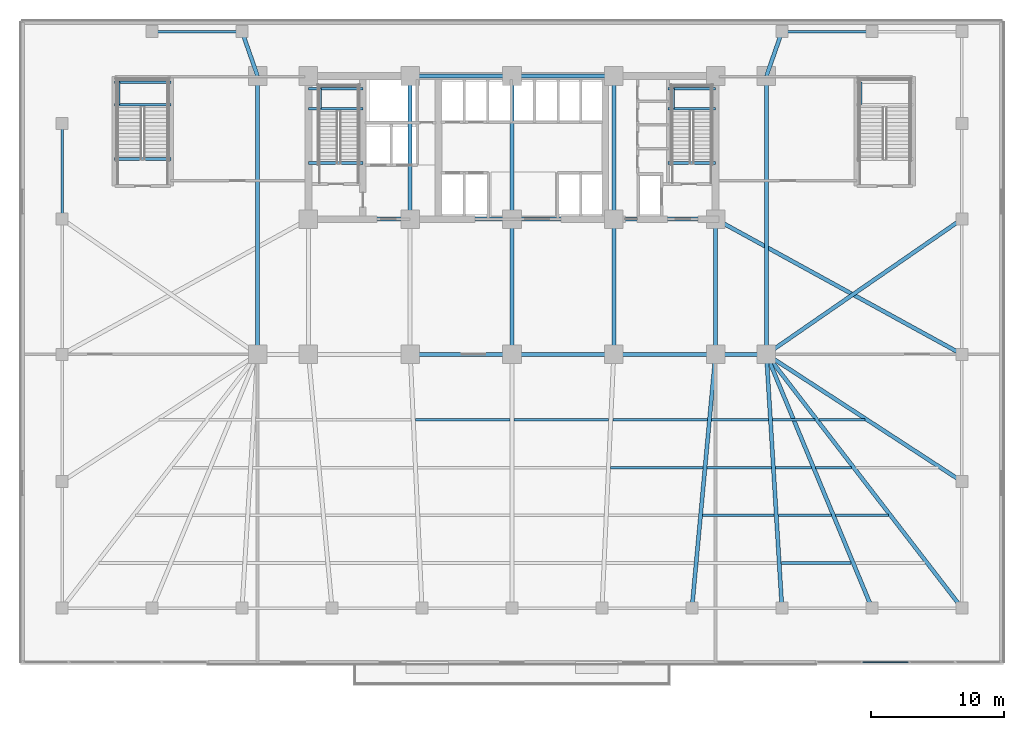
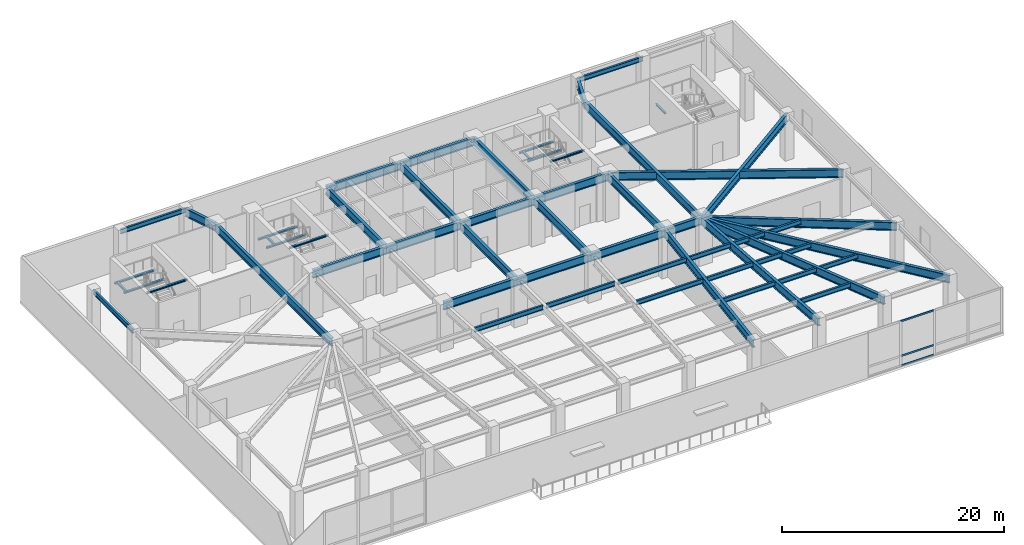
# One storey, part 5 of 15: 57 beams, 3 members, 1 element without a shape of its own.
"""IFC4 building model written with IfcOpenShell, lengths in metres."""

from ifc_helpers import new_model, si_unit, direction, frame, origin, origin_2d, place, context, subcontext, project, spatial, hollow_rectangle, i_section, extrude, material, material_profile, profile_set, type_object, element, aggregate, save


model = new_model("IFC4")

# Units and contexts
model_context = context("Model", 3, precision=1e-05, world=origin(), true_north=direction((0.0, 1.0)))
body_context = subcontext(model_context, "Body", "Model", "MODEL_VIEW")
ifc_project = project(units=[si_unit("LENGTHUNIT", "METRE"), si_unit("AREAUNIT", "SQUARE_METRE"), si_unit("VOLUMEUNIT", "CUBIC_METRE"), si_unit("PLANEANGLEUNIT", "RADIAN"), si_unit("MASSUNIT", "GRAM", prefix="KILO")], contexts=[model_context])

# Site, building, storey
site_placement = place(None, origin())
site = spatial("IfcSite", under=ifc_project, at=site_placement, CompositionType="ELEMENT")
building_placement = place(site_placement, origin())
building = spatial("IfcBuilding", under=site, at=building_placement, Name="Yelkora Congress Tower", CompositionType="ELEMENT")
storey_placement = place(building_placement, frame((0.0, 0.0, 10.39990234375)))
storey = spatial("IfcBuildingStorey", under=building, at=storey_placement, Name="L02", CompositionType="ELEMENT", Elevation=10.39990234375)

# Beams
ifc_material_1 = material(Name="Steel S460M", Category="steel")
ifc_material_profile_1 = material_profile(ifc_material_1, i_section(OverallWidth=0.300048828125, OverallDepth=0.89990234375, WebThickness=0.0185546875, FlangeThickness=0.034912109375, FilletRadius=0.030029296875, at=origin_2d()), Name="HEB 900")
ifc_profile_set_1 = profile_set([ifc_material_profile_1], Name="Steel S460M")
beam_type_1 = type_object("IfcBeamType", Name="BM-HALL-HEB900", PredefinedType="BEAM", material=ifc_profile_set_1)
beam_1_placement = place(storey_placement, frame((30.719970703125, 25.199951171875, 4.489990234375), z_axis=(1.0, 0.0, 0.0), x_axis=(0.0, 1.0, 0.0)))
element("IfcBeam", 1, at=beam_1_placement, inside=storey, type_object=beam_type_1, Name="L02 Spine Grid D Girder 3", PredefinedType="BEAM", context=body_context, shape_type="SweptSolid", body=[
    extrude(i_section(OverallWidth=0.300048828125, OverallDepth=0.89990234375, WebThickness=0.0185546875, FlangeThickness=0.034912109375, FilletRadius=0.030029296875, at=origin_2d()), origin(), (0.0, 0.0, 1.0), 7.679931640625),
])
beam_2_placement = place(storey_placement, frame((38.39990234375, 25.199951171875, 4.489990234375), z_axis=(1.0, 0.0, 0.0), x_axis=(0.0, 1.0, 0.0)))
element("IfcBeam", 2, at=beam_2_placement, inside=storey, type_object=beam_type_1, Name="L02 Spine Grid D Girder 4", PredefinedType="BEAM", context=body_context, shape_type="SweptSolid", body=[
    extrude(i_section(OverallWidth=0.300048828125, OverallDepth=0.89990234375, WebThickness=0.0185546875, FlangeThickness=0.034912109375, FilletRadius=0.030029296875, at=origin_2d()), origin(), (0.0, 0.0, 1.0), 7.68017578125),
])
beam_3_placement = place(storey_placement, frame((46.080078125, 25.199951171875, 4.489990234375), z_axis=(1.0, 0.0, 0.0), x_axis=(0.0, 1.0, 0.0)))
element("IfcBeam", 3, at=beam_3_placement, inside=storey, type_object=beam_type_1, Name="L02 Spine Grid D Girder 5", PredefinedType="BEAM", context=body_context, shape_type="SweptSolid", body=[
    extrude(i_section(OverallWidth=0.300048828125, OverallDepth=0.89990234375, WebThickness=0.0185546875, FlangeThickness=0.034912109375, FilletRadius=0.030029296875, at=origin_2d()), origin(), (0.0, 0.0, 1.0), 7.679931640625),
])
beam_4_placement = place(storey_placement, frame((53.760009765625, 25.199951171875, 4.489990234375), z_axis=(1.0, 0.0, 0.0), x_axis=(0.0, 1.0, 0.0)))
element("IfcBeam", 4, at=beam_4_placement, inside=storey, type_object=beam_type_1, Name="L02 Spine Grid D Girder 6", PredefinedType="BEAM", context=body_context, shape_type="SweptSolid", body=[
    extrude(i_section(OverallWidth=0.300048828125, OverallDepth=0.89990234375, WebThickness=0.0185546875, FlangeThickness=0.034912109375, FilletRadius=0.030029296875, at=origin_2d()), origin(), (0.0, 0.0, 1.0), 3.840087890625),
])
beam_5_placement = place(storey_placement, frame((30.719970703125, 46.199951171875, 4.489990234375), z_axis=(1.0, 0.0, 0.0), x_axis=(0.0, 1.0, 0.0)))
element("IfcBeam", 5, at=beam_5_placement, inside=storey, type_object=beam_type_1, Name="L02 Core North Girder 3", PredefinedType="BEAM", context=body_context, shape_type="SweptSolid", body=[
    extrude(i_section(OverallWidth=0.300048828125, OverallDepth=0.89990234375, WebThickness=0.0185546875, FlangeThickness=0.034912109375, FilletRadius=0.030029296875, at=origin_2d()), origin(), (0.0, 0.0, 1.0), 7.679931640625),
])
beam_6_placement = place(storey_placement, frame((38.39990234375, 46.199951171875, 4.489990234375), z_axis=(1.0, 0.0, 0.0), x_axis=(0.0, 1.0, 0.0)))
element("IfcBeam", 6, at=beam_6_placement, inside=storey, type_object=beam_type_1, Name="L02 Core North Girder 4", PredefinedType="BEAM", context=body_context, shape_type="SweptSolid", body=[
    extrude(i_section(OverallWidth=0.300048828125, OverallDepth=0.89990234375, WebThickness=0.0185546875, FlangeThickness=0.034912109375, FilletRadius=0.030029296875, at=origin_2d()), origin(), (0.0, 0.0, 1.0), 7.68017578125),
])
for number, where, z_axis, x_axis, name in (
    (7, (23.0400390625, 35.39990234375, 4.489990234375), (1.0, 0.0, 0.0), (0.0, 1.0, 0.0), "L02 Core South Girder 1"),
    (8, (30.719970703125, 35.39990234375, 4.489990234375), (1.0, 0.0, 0.0), (0.0, 1.0, 0.0), "L02 Core South Girder 2"),
):
    element("IfcBeam", number, at=place(storey_placement, frame(where, z_axis=z_axis, x_axis=x_axis)), inside=storey, type_object=beam_type_1, Name=name, PredefinedType="BEAM", context=body_context, shape_type="SweptSolid", body=[
        extrude(i_section(OverallWidth=0.300048828125, OverallDepth=0.89990234375, WebThickness=0.0185546875, FlangeThickness=0.034912109375, FilletRadius=0.030029296875, at=origin_2d()), origin(), (0.0, 0.0, 1.0), 7.679931640625),
    ])
beam_7_placement = place(storey_placement, frame((38.39990234375, 35.39990234375, 4.489990234375), z_axis=(1.0, 0.0, 0.0), x_axis=(0.0, 1.0, 0.0)))
element("IfcBeam", 9, at=beam_7_placement, inside=storey, type_object=beam_type_1, Name="L02 Core South Girder 3", PredefinedType="BEAM", context=body_context, shape_type="SweptSolid", body=[
    extrude(i_section(OverallWidth=0.300048828125, OverallDepth=0.89990234375, WebThickness=0.0185546875, FlangeThickness=0.034912109375, FilletRadius=0.030029296875, at=origin_2d()), origin(), (0.0, 0.0, 1.0), 7.68017578125),
])
beam_8_placement = place(storey_placement, frame((46.080078125, 35.39990234375, 4.489990234375), z_axis=(1.0, 0.0, 0.0), x_axis=(0.0, 1.0, 0.0)))
element("IfcBeam", 10, at=beam_8_placement, inside=storey, type_object=beam_type_1, Name="L02 Core South Girder 4", PredefinedType="BEAM", context=body_context, shape_type="SweptSolid", body=[
    extrude(i_section(OverallWidth=0.300048828125, OverallDepth=0.89990234375, WebThickness=0.0185546875, FlangeThickness=0.034912109375, FilletRadius=0.030029296875, at=origin_2d()), origin(), (0.0, 0.0, 1.0), 7.679931640625),
])
beam_9_placement = place(storey_placement, frame((30.719970703125, 35.39990234375, 4.489990234375), z_axis=(0.0, 1.0, 0.0), x_axis=(-1.0, 0.0, 0.0)))
element("IfcBeam", 11, at=beam_9_placement, inside=storey, type_object=beam_type_1, Name="L02 Core Tie Girder MC-S2", PredefinedType="BEAM", context=body_context, shape_type="SweptSolid", body=[
    extrude(i_section(OverallWidth=0.300048828125, OverallDepth=0.89990234375, WebThickness=0.0185546875, FlangeThickness=0.034912109375, FilletRadius=0.030029296875, at=origin_2d()), origin(), (0.0, 0.0, 1.0), 10.800048828125),
])
beam_10_placement = place(storey_placement, frame((38.39990234375, 25.199951171875, 4.489990234375), z_axis=(0.0, 1.0, 0.0), x_axis=(-1.0, 0.0, 0.0)))
element("IfcBeam", 12, at=beam_10_placement, inside=storey, type_object=beam_type_1, Name="L02 Core Tie Girder MC-D3", PredefinedType="BEAM", context=body_context, shape_type="SweptSolid", body=[
    extrude(i_section(OverallWidth=0.300048828125, OverallDepth=0.89990234375, WebThickness=0.0185546875, FlangeThickness=0.034912109375, FilletRadius=0.030029296875, at=origin_2d()), origin(), (0.0, 0.0, 1.0), 10.199951171875),
])
beam_11_placement = place(storey_placement, frame((38.39990234375, 35.39990234375, 4.489990234375), z_axis=(0.0, 1.0, 0.0), x_axis=(-1.0, 0.0, 0.0)))
element("IfcBeam", 13, at=beam_11_placement, inside=storey, type_object=beam_type_1, Name="L02 Core Tie Girder MC-S3", PredefinedType="BEAM", context=body_context, shape_type="SweptSolid", body=[
    extrude(i_section(OverallWidth=0.300048828125, OverallDepth=0.89990234375, WebThickness=0.0185546875, FlangeThickness=0.034912109375, FilletRadius=0.030029296875, at=origin_2d()), origin(), (0.0, 0.0, 1.0), 10.800048828125),
])
beam_12_placement = place(storey_placement, frame((46.080078125, 25.199951171875, 4.489990234375), z_axis=(0.0, 1.0, 0.0), x_axis=(-1.0, 0.0, 0.0)))
element("IfcBeam", 14, at=beam_12_placement, inside=storey, type_object=beam_type_1, Name="L02 Core Tie Girder MC-D4", PredefinedType="BEAM", context=body_context, shape_type="SweptSolid", body=[
    extrude(i_section(OverallWidth=0.300048828125, OverallDepth=0.89990234375, WebThickness=0.0185546875, FlangeThickness=0.034912109375, FilletRadius=0.030029296875, at=origin_2d()), origin(), (0.0, 0.0, 1.0), 10.199951171875),
])
beam_13_placement = place(storey_placement, frame((46.080078125, 35.39990234375, 4.489990234375), z_axis=(0.0, 1.0, 0.0), x_axis=(-1.0, 0.0, 0.0)))
element("IfcBeam", 15, at=beam_13_placement, inside=storey, type_object=beam_type_1, Name="L02 Core Tie Girder MC-S4", PredefinedType="BEAM", context=body_context, shape_type="SweptSolid", body=[
    extrude(i_section(OverallWidth=0.300048828125, OverallDepth=0.89990234375, WebThickness=0.0185546875, FlangeThickness=0.034912109375, FilletRadius=0.030029296875, at=origin_2d()), origin(), (0.0, 0.0, 1.0), 10.800048828125),
])
beam_14_placement = place(storey_placement, frame((53.760009765625, 25.199951171875, 4.489990234375), z_axis=(0.0, 1.0, 0.0), x_axis=(-1.0, 0.0, 0.0)))
element("IfcBeam", 16, at=beam_14_placement, inside=storey, type_object=beam_type_1, Name="L02 Core Tie Girder MC-D5", PredefinedType="BEAM", context=body_context, shape_type="SweptSolid", body=[
    extrude(i_section(OverallWidth=0.300048828125, OverallDepth=0.89990234375, WebThickness=0.0185546875, FlangeThickness=0.034912109375, FilletRadius=0.030029296875, at=origin_2d()), origin(), (0.0, 0.0, 1.0), 10.199951171875),
])
for number, where, z_axis, x_axis, name in (
    (17, (19.199951171875, 25.199951171875, 4.489990234375), (0.0, 1.0, 0.0), (-1.0, 0.0, 0.0), "L02 Neck Flank Girder MC-F1"),
    (18, (57.60009765625, 25.199951171875, 4.489990234375), (0.0, 1.0, 0.0), (-1.0, 0.0, 0.0), "L02 Neck Flank Girder MC-F2"),
):
    element("IfcBeam", number, at=place(storey_placement, frame(where, z_axis=z_axis, x_axis=x_axis)), inside=storey, type_object=beam_type_1, Name=name, PredefinedType="BEAM", context=body_context, shape_type="SweptSolid", body=[
        extrude(i_section(OverallWidth=0.300048828125, OverallDepth=0.89990234375, WebThickness=0.0185546875, FlangeThickness=0.034912109375, FilletRadius=0.030029296875, at=origin_2d()), origin(), (0.0, 0.0, 1.0), 21.0),
    ])
beam_15_placement = place(storey_placement, frame((18.030029296875, 49.550048828125, 4.489990234375), z_axis=(0.329694513381, -0.944087669577, 0.0), x_axis=(0.944087669577, 0.329694513381, 0.0)))
element("IfcBeam", 19, at=beam_15_placement, inside=storey, type_object=beam_type_1, Name="L02 Primary Frame Girder PN03", PredefinedType="BEAM", context=body_context, shape_type="SweptSolid", body=[
    extrude(i_section(OverallWidth=0.300048828125, OverallDepth=0.89990234375, WebThickness=0.0185546875, FlangeThickness=0.034912109375, FilletRadius=0.030029296875, at=origin_2d()), origin(), (0.0, 0.0, 1.0), 3.548583984375),
])
beam_16_placement = place(storey_placement, frame((51.97998046875, 6.050048828125, 4.489990234375), z_axis=(0.092553417869, 0.995707720589, 0.0), x_axis=(-0.995707720589, 0.092553417869, 0.0)))
element("IfcBeam", 20, at=beam_16_placement, inside=storey, type_object=beam_type_1, Name="L02 Primary Frame Girder PS08", PredefinedType="BEAM", context=body_context, shape_type="SweptSolid", body=[
    extrude(i_section(OverallWidth=0.300048828125, OverallDepth=0.89990234375, WebThickness=0.0185546875, FlangeThickness=0.034912109375, FilletRadius=0.030029296875, at=origin_2d()), origin(), (0.0, 0.0, 1.0), 19.232421875),
])
beam_17_placement = place(storey_placement, frame((58.77001953125, 6.050048828125, 4.489990234375), z_axis=(-0.060979146345, 0.99813904027, 0.0), x_axis=(-0.99813904027, -0.060979146345, 0.0)))
element("IfcBeam", 21, at=beam_17_placement, inside=storey, type_object=beam_type_1, Name="L02 Primary Frame Girder PS09", PredefinedType="BEAM", context=body_context, shape_type="SweptSolid", body=[
    extrude(i_section(OverallWidth=0.300048828125, OverallDepth=0.89990234375, WebThickness=0.0185546875, FlangeThickness=0.034912109375, FilletRadius=0.030029296875, at=origin_2d()), origin(), (0.0, 0.0, 1.0), 19.185546875),
])
beam_18_placement = place(storey_placement, frame((58.77001953125, 49.550048828125, 4.489990234375), z_axis=(-0.329694513381, -0.944087669577, 0.0), x_axis=(0.944087669577, -0.329694513381, 0.0)))
element("IfcBeam", 22, at=beam_18_placement, inside=storey, type_object=beam_type_1, Name="L02 Primary Frame Girder PN09", PredefinedType="BEAM", context=body_context, shape_type="SweptSolid", body=[
    extrude(i_section(OverallWidth=0.300048828125, OverallDepth=0.89990234375, WebThickness=0.0185546875, FlangeThickness=0.034912109375, FilletRadius=0.030029296875, at=origin_2d()), origin(), (0.0, 0.0, 1.0), 3.548583984375),
])
beam_19_placement = place(storey_placement, frame((65.56005859375, 6.050048828125, 4.489990234375), z_axis=(-0.383827816401, 0.923404682334, 0.0), x_axis=(-0.923404682334, -0.383827816401, 0.0)))
element("IfcBeam", 23, at=beam_19_placement, inside=storey, type_object=beam_type_1, Name="L02 Primary Frame Girder PS10", PredefinedType="BEAM", context=body_context, shape_type="SweptSolid", body=[
    extrude(i_section(OverallWidth=0.300048828125, OverallDepth=0.89990234375, WebThickness=0.0185546875, FlangeThickness=0.034912109375, FilletRadius=0.030029296875, at=origin_2d()), origin(), (0.0, 0.0, 1.0), 20.73828125),
])
beam_20_placement = place(storey_placement, frame((72.35009765625, 6.050048828125, 4.489990234375), z_axis=(-0.610212418574, 0.792237845737, 0.0), x_axis=(-0.792237845737, -0.610212418574, 0.0)))
element("IfcBeam", 24, at=beam_20_placement, inside=storey, type_object=beam_type_1, Name="L02 Primary Frame Girder PS11", PredefinedType="BEAM", context=body_context, shape_type="SweptSolid", body=[
    extrude(i_section(OverallWidth=0.300048828125, OverallDepth=0.89990234375, WebThickness=0.0185546875, FlangeThickness=0.034912109375, FilletRadius=0.030029296875, at=origin_2d()), origin(), (0.0, 0.0, 1.0), 24.171875),
])
beam_21_placement = place(storey_placement, frame((72.35009765625, 15.60009765625, 4.489990234375), z_axis=(-0.83812272066, 0.545481718404, 0.0), x_axis=(-0.545481718404, -0.83812272066, 0.0)))
element("IfcBeam", 25, at=beam_21_placement, inside=storey, type_object=beam_type_1, Name="L02 Primary Frame Girder PE1", PredefinedType="BEAM", context=body_context, shape_type="SweptSolid", body=[
    extrude(i_section(OverallWidth=0.300048828125, OverallDepth=0.89990234375, WebThickness=0.0185546875, FlangeThickness=0.034912109375, FilletRadius=0.030029296875, at=origin_2d()), origin(), (0.0, 0.0, 1.0), 17.598876953125),
])
beam_22_placement = place(storey_placement, frame((72.35009765625, 25.199951171875, 4.489990234375), z_axis=(-0.876705282536, 0.48102790727, 0.0), x_axis=(-0.48102790727, -0.876705282536, 0.0)))
element("IfcBeam", 26, at=beam_22_placement, inside=storey, type_object=beam_type_1, Name="L02 Primary Frame Girder PE2", PredefinedType="BEAM", context=body_context, shape_type="SweptSolid", body=[
    extrude(i_section(OverallWidth=0.300048828125, OverallDepth=0.89990234375, WebThickness=0.0185546875, FlangeThickness=0.034912109375, FilletRadius=0.030029296875, at=origin_2d()), origin(), (0.0, 0.0, 1.0), 21.20458984375),
])
beam_23_placement = place(storey_placement, frame((72.35009765625, 35.39990234375, 4.489990234375), z_axis=(-0.822494466498, -0.568773111689, 0.0), x_axis=(0.568773111689, -0.822494466498, 0.0)))
element("IfcBeam", 27, at=beam_23_placement, inside=storey, type_object=beam_type_1, Name="L02 Primary Frame Girder PE3", PredefinedType="BEAM", context=body_context, shape_type="SweptSolid", body=[
    extrude(i_section(OverallWidth=0.300048828125, OverallDepth=0.89990234375, WebThickness=0.0185546875, FlangeThickness=0.034912109375, FilletRadius=0.030029296875, at=origin_2d()), origin(), (0.0, 0.0, 1.0), 17.933349609375),
])
ifc_material_2 = material(Name="Steel S355J2", Category="steel")
ifc_material_profile_2 = material_profile(ifc_material_2, i_section(OverallWidth=0.199951171875, OverallDepth=0.5, WebThickness=0.01025390625, FlangeThickness=0.01611328125, FilletRadius=0.02099609375, at=origin_2d()), Name="IPE 500")
ifc_profile_set_2 = profile_set([ifc_material_profile_2], Name="Steel S355J2")
beam_type_2 = type_object("IfcBeamType", Name="BM-JOIST-IPE500", PredefinedType="JOIST", material=ifc_profile_set_2)
beam_24_placement = place(storey_placement, frame((58.722412109375, 9.449951171875, 4.690185546875), z_axis=(1.0, 0.0, 0.0), x_axis=(0.0, 1.0, 0.0)))
element("IfcBeam", 28, at=beam_24_placement, inside=storey, type_object=beam_type_2, Name="L02 Composite Floor Joist 9", PredefinedType="JOIST", context=body_context, shape_type="SweptSolid", body=[
    extrude(i_section(OverallWidth=0.199951171875, OverallDepth=0.5, WebThickness=0.01025390625, FlangeThickness=0.01611328125, FilletRadius=0.02099609375, at=origin_2d()), origin(), (0.0, 0.0, 1.0), 5.264404296875),
])
beam_25_placement = place(storey_placement, frame((52.790771484375, 13.050048828125, 4.690185546875), z_axis=(1.0, 0.0, 0.0), x_axis=(0.0, 1.0, 0.0)))
element("IfcBeam", 29, at=beam_25_placement, inside=storey, type_object=beam_type_2, Name="L02 Composite Floor Joist 18", PredefinedType="JOIST", context=body_context, shape_type="SweptSolid", body=[
    extrude(i_section(OverallWidth=0.199951171875, OverallDepth=0.5, WebThickness=0.01025390625, FlangeThickness=0.01611328125, FilletRadius=0.02099609375, at=origin_2d()), origin(), (0.0, 0.0, 1.0), 5.3916015625),
])
for number, where, z_axis, x_axis, name in (
    (30, (58.502197265625, 13.050048828125, 4.690185546875), (1.0, 0.0, 0.0), (0.0, 1.0, 0.0), "L02 Composite Floor Joist 19"),
    (31, (62.810302734375, 13.050048828125, 4.690185546875), (1.0, 0.0, 0.0), (0.0, 1.0, 0.0), "L02 Composite Floor Joist 20"),
):
    element("IfcBeam", number, at=place(storey_placement, frame(where, z_axis=z_axis, x_axis=x_axis)), inside=storey, type_object=beam_type_2, Name=name, PredefinedType="JOIST", context=body_context, shape_type="SweptSolid", body=[
        extrude(i_section(OverallWidth=0.199951171875, OverallDepth=0.5, WebThickness=0.01025390625, FlangeThickness=0.01611328125, FilletRadius=0.02099609375, at=origin_2d()), origin(), (0.0, 0.0, 1.0), 3.988037109375),
    ])
beam_26_placement = place(storey_placement, frame((45.842529296875, 16.64990234375, 4.690185546875), z_axis=(1.0, 0.0, 0.0), x_axis=(0.0, 1.0, 0.0)))
element("IfcBeam", 32, at=beam_26_placement, inside=storey, type_object=beam_type_2, Name="L02 Composite Floor Joist 27", PredefinedType="JOIST", context=body_context, shape_type="SweptSolid", body=[
    extrude(i_section(OverallWidth=0.199951171875, OverallDepth=0.5, WebThickness=0.01025390625, FlangeThickness=0.01611328125, FilletRadius=0.02099609375, at=origin_2d()), origin(), (0.0, 0.0, 1.0), 6.962890625),
])
beam_27_placement = place(storey_placement, frame((53.125244140625, 16.64990234375, 4.690185546875), z_axis=(1.0, 0.0, 0.0), x_axis=(0.0, 1.0, 0.0)))
element("IfcBeam", 33, at=beam_27_placement, inside=storey, type_object=beam_type_2, Name="L02 Composite Floor Joist 28", PredefinedType="JOIST", context=body_context, shape_type="SweptSolid", body=[
    extrude(i_section(OverallWidth=0.199951171875, OverallDepth=0.5, WebThickness=0.01025390625, FlangeThickness=0.01611328125, FilletRadius=0.02099609375, at=origin_2d()), origin(), (0.0, 0.0, 1.0), 4.837158203125),
])
for number, where, z_axis, x_axis, name in (
    (34, (58.282470703125, 16.64990234375, 4.690185546875), (1.0, 0.0, 0.0), (0.0, 1.0, 0.0), "L02 Composite Floor Joist 29"),
    (35, (61.31396484375, 16.64990234375, 4.690185546875), (1.0, 0.0, 0.0), (0.0, 1.0, 0.0), "L02 Composite Floor Joist 30"),
):
    element("IfcBeam", number, at=place(storey_placement, frame(where, z_axis=z_axis, x_axis=x_axis)), inside=storey, type_object=beam_type_2, Name=name, PredefinedType="JOIST", context=body_context, shape_type="SweptSolid", body=[
        extrude(i_section(OverallWidth=0.199951171875, OverallDepth=0.5, WebThickness=0.01025390625, FlangeThickness=0.01611328125, FilletRadius=0.02099609375, at=origin_2d()), origin(), (0.0, 0.0, 1.0), 2.71142578125),
    ])
for number, where, z_axis, x_axis, name in (
    (36, (31.110107421875, 20.25, 4.690185546875), (1.0, 0.0, 0.0), (0.0, 1.0, 0.0), "L02 Composite Floor Joist 36"),
    (37, (38.56005859375, 20.25, 4.690185546875), (1.0, 0.0, 0.0), (0.0, 1.0, 0.0), "L02 Composite Floor Joist 37"),
    (38, (46.010009765625, 20.25, 4.690185546875), (1.0, 0.0, 0.0), (0.0, 1.0, 0.0), "L02 Composite Floor Joist 38"),
):
    element("IfcBeam", number, at=place(storey_placement, frame(where, z_axis=z_axis, x_axis=x_axis)), inside=storey, type_object=beam_type_2, Name=name, PredefinedType="JOIST", context=body_context, shape_type="SweptSolid", body=[
        extrude(i_section(OverallWidth=0.199951171875, OverallDepth=0.5, WebThickness=0.01025390625, FlangeThickness=0.01611328125, FilletRadius=0.02099609375, at=origin_2d()), origin(), (0.0, 0.0, 1.0), 7.1298828125),
    ])
beam_28_placement = place(storey_placement, frame((53.4599609375, 20.25, 4.690185546875), z_axis=(1.0, 0.0, 0.0), x_axis=(0.0, 1.0, 0.0)))
element("IfcBeam", 39, at=beam_28_placement, inside=storey, type_object=beam_type_2, Name="L02 Composite Floor Joist 39", PredefinedType="JOIST", context=body_context, shape_type="SweptSolid", body=[
    extrude(i_section(OverallWidth=0.199951171875, OverallDepth=0.5, WebThickness=0.01025390625, FlangeThickness=0.01611328125, FilletRadius=0.02099609375, at=origin_2d()), origin(), (0.0, 0.0, 1.0), 4.282470703125),
])
beam_29_placement = place(storey_placement, frame((58.0625, 20.25, 4.690185546875), z_axis=(1.0, 0.0, 0.0), x_axis=(0.0, 1.0, 0.0)))
element("IfcBeam", 40, at=beam_29_placement, inside=storey, type_object=beam_type_2, Name="L02 Composite Floor Joist 40", PredefinedType="JOIST", context=body_context, shape_type="SweptSolid", body=[
    extrude(i_section(OverallWidth=0.199951171875, OverallDepth=0.5, WebThickness=0.01025390625, FlangeThickness=0.01611328125, FilletRadius=0.02099609375, at=origin_2d()), origin(), (0.0, 0.0, 1.0), 3.190185546875),
])
beam_30_placement = place(storey_placement, frame((61.57275390625, 20.25, 4.690185546875), z_axis=(1.0, 0.0, 0.0), x_axis=(0.0, 1.0, 0.0)))
element("IfcBeam", 41, at=beam_30_placement, inside=storey, type_object=beam_type_2, Name="L02 Composite Floor Joist 41", PredefinedType="JOIST", context=body_context, shape_type="SweptSolid", body=[
    extrude(i_section(OverallWidth=0.199951171875, OverallDepth=0.5, WebThickness=0.01025390625, FlangeThickness=0.01611328125, FilletRadius=0.02099609375, at=origin_2d()), origin(), (0.0, 0.0, 1.0), 3.47265625),
])
ifc_material_profile_3 = material_profile(ifc_material_2, i_section(OverallWidth=0.199951171875, OverallDepth=0.18994140625, WebThickness=0.006591796875, FlangeThickness=0.010009765625, FilletRadius=0.01806640625, at=origin_2d()), Name="HEA 200")
ifc_profile_set_3 = profile_set([ifc_material_profile_3], Name="Steel S355J2")
beam_type_3 = type_object("IfcBeamType", Name="BM-LAND-HEA200", PredefinedType="BEAM", material=ifc_profile_set_3)
for number, where, z_axis, x_axis, name in (
    (42, (23.0400390625, 43.739990234375, 2.28466796875), (1.0, 0.0, 0.0), (0.0, 1.0, 0.0), "ST-01 L02 Landing Header Beam 1S"),
    (43, (23.0400390625, 45.25, 2.28466796875), (1.0, 0.0, 0.0), (0.0, 1.0, 0.0), "ST-01 L02 Landing Header Beam 1N"),
):
    element("IfcBeam", number, at=place(storey_placement, frame(where, z_axis=z_axis, x_axis=x_axis)), inside=storey, type_object=beam_type_3, Name=name, PredefinedType="BEAM", context=body_context, shape_type="SweptSolid", body=[
        extrude(i_section(OverallWidth=0.199951171875, OverallDepth=0.18994140625, WebThickness=0.006591796875, FlangeThickness=0.010009765625, FilletRadius=0.01806640625, at=origin_2d()), origin(), (0.0, 0.0, 1.0), 4.10986328125),
    ])
beam_31_placement = place(storey_placement, frame((23.93994140625, 43.739990234375, 2.28466796875), z_axis=(0.0, 1.0, 0.0), x_axis=(-1.0, 0.0, 0.0)))
element("IfcBeam", 44, at=beam_31_placement, inside=storey, type_object=beam_type_3, Name="ST-01 L02 Landing Trimmer Beam 1M", PredefinedType="BEAM", context=body_context, shape_type="SweptSolid", body=[
    extrude(i_section(OverallWidth=0.199951171875, OverallDepth=0.18994140625, WebThickness=0.006591796875, FlangeThickness=0.010009765625, FilletRadius=0.01806640625, at=origin_2d()), origin(), (0.0, 0.0, 1.0), 1.510009765625),
])
beam_32_placement = place(storey_placement, frame((23.0400390625, 39.639892578125, 4.7431640625), z_axis=(1.0, 0.0, 0.0), x_axis=(0.0, 1.0, 0.0)))
element("IfcBeam", 45, at=beam_32_placement, inside=storey, type_object=beam_type_3, Name="ST-01 L02 Floor Arrival Stringer Header Beam", PredefinedType="BEAM", context=body_context, shape_type="SweptSolid", body=[
    extrude(i_section(OverallWidth=0.199951171875, OverallDepth=0.18994140625, WebThickness=0.006591796875, FlangeThickness=0.010009765625, FilletRadius=0.01806640625, at=origin_2d()), origin(), (0.0, 0.0, 1.0), 4.10986328125),
])
for number, where, z_axis, x_axis, name in (
    (46, (50.179931640625, 43.739990234375, 2.28466796875), (1.0, 0.0, 0.0), (0.0, 1.0, 0.0), "ST-02 L02 Landing Header Beam 1S"),
    (47, (50.179931640625, 45.25, 2.28466796875), (1.0, 0.0, 0.0), (0.0, 1.0, 0.0), "ST-02 L02 Landing Header Beam 1N"),
):
    element("IfcBeam", number, at=place(storey_placement, frame(where, z_axis=z_axis, x_axis=x_axis)), inside=storey, type_object=beam_type_3, Name=name, PredefinedType="BEAM", context=body_context, shape_type="SweptSolid", body=[
        extrude(i_section(OverallWidth=0.199951171875, OverallDepth=0.18994140625, WebThickness=0.006591796875, FlangeThickness=0.010009765625, FilletRadius=0.01806640625, at=origin_2d()), origin(), (0.0, 0.0, 1.0), 3.580078125),
    ])
beam_33_placement = place(storey_placement, frame((50.580078125, 43.739990234375, 2.28466796875), z_axis=(0.0, 1.0, 0.0), x_axis=(-1.0, 0.0, 0.0)))
element("IfcBeam", 48, at=beam_33_placement, inside=storey, type_object=beam_type_3, Name="ST-02 L02 Landing Trimmer Beam 1M", PredefinedType="BEAM", context=body_context, shape_type="SweptSolid", body=[
    extrude(i_section(OverallWidth=0.199951171875, OverallDepth=0.18994140625, WebThickness=0.006591796875, FlangeThickness=0.010009765625, FilletRadius=0.01806640625, at=origin_2d()), origin(), (0.0, 0.0, 1.0), 1.510009765625),
])
beam_34_placement = place(storey_placement, frame((50.179931640625, 39.639892578125, 4.7431640625), z_axis=(1.0, 0.0, 0.0), x_axis=(0.0, 1.0, 0.0)))
element("IfcBeam", 49, at=beam_34_placement, inside=storey, type_object=beam_type_3, Name="ST-02 L02 Floor Arrival Stringer Header Beam", PredefinedType="BEAM", context=body_context, shape_type="SweptSolid", body=[
    extrude(i_section(OverallWidth=0.199951171875, OverallDepth=0.18994140625, WebThickness=0.006591796875, FlangeThickness=0.010009765625, FilletRadius=0.01806640625, at=origin_2d()), origin(), (0.0, 0.0, 1.0), 3.580078125),
])
for number, where, z_axis, x_axis, name in (
    (50, (8.39990234375, 44.0400390625, 2.28466796875), (1.0, 0.0, 0.0), (0.0, 1.0, 0.0), "ST-P1 L02 Landing Header Beam 1S"),
    (51, (8.39990234375, 45.72998046875, 2.28466796875), (1.0, 0.0, 0.0), (0.0, 1.0, 0.0), "ST-P1 L02 Landing Header Beam 1N"),
):
    element("IfcBeam", number, at=place(storey_placement, frame(where, z_axis=z_axis, x_axis=x_axis)), inside=storey, type_object=beam_type_3, Name=name, PredefinedType="BEAM", context=body_context, shape_type="SweptSolid", body=[
        extrude(i_section(OverallWidth=0.199951171875, OverallDepth=0.18994140625, WebThickness=0.006591796875, FlangeThickness=0.010009765625, FilletRadius=0.01806640625, at=origin_2d()), origin(), (0.0, 0.0, 1.0), 4.260009765625),
    ])
beam_35_placement = place(storey_placement, frame((8.719970703125, 44.0400390625, 2.28466796875), z_axis=(0.0, 1.0, 0.0), x_axis=(-1.0, 0.0, 0.0)))
element("IfcBeam", 52, at=beam_35_placement, inside=storey, type_object=beam_type_3, Name="ST-P1 L02 Landing Trimmer Beam 1M", PredefinedType="BEAM", context=body_context, shape_type="SweptSolid", body=[
    extrude(i_section(OverallWidth=0.199951171875, OverallDepth=0.18994140625, WebThickness=0.006591796875, FlangeThickness=0.010009765625, FilletRadius=0.01806640625, at=origin_2d()), origin(), (0.0, 0.0, 1.0), 1.68994140625),
])
beam_36_placement = place(storey_placement, frame((8.39990234375, 39.93994140625, 4.7431640625), z_axis=(1.0, 0.0, 0.0), x_axis=(0.0, 1.0, 0.0)))
element("IfcBeam", 53, at=beam_36_placement, inside=storey, type_object=beam_type_3, Name="ST-P1 L02 Floor Arrival Stringer Header Beam", PredefinedType="BEAM", context=body_context, shape_type="SweptSolid", body=[
    extrude(i_section(OverallWidth=0.199951171875, OverallDepth=0.18994140625, WebThickness=0.006591796875, FlangeThickness=0.010009765625, FilletRadius=0.01806640625, at=origin_2d()), origin(), (0.0, 0.0, 1.0), 4.260009765625),
])
beam_37_placement = place(storey_placement, frame((64.719970703125, 44.0400390625, 2.28466796875), z_axis=(0.0, 1.0, 0.0), x_axis=(-1.0, 0.0, 0.0)))
element("IfcBeam", 54, at=beam_37_placement, inside=storey, type_object=beam_type_3, Name="ST-P2 L02 Landing Trimmer Beam 1M", PredefinedType="BEAM", context=body_context, shape_type="SweptSolid", body=[
    extrude(i_section(OverallWidth=0.199951171875, OverallDepth=0.18994140625, WebThickness=0.006591796875, FlangeThickness=0.010009765625, FilletRadius=0.01806640625, at=origin_2d()), origin(), (0.0, 0.0, 1.0), 1.68994140625),
])
ifc_material_profile_4 = material_profile(ifc_material_2, i_section(OverallWidth=0.199951171875, OverallDepth=0.5, WebThickness=0.01025390625, FlangeThickness=0.01611328125, FilletRadius=0.02099609375, at=origin_2d()), Name="IPE 500")
ifc_profile_set_4 = profile_set([ifc_material_profile_4], Name="Steel S355J2")
beam_type_4 = type_object("IfcBeamType", Name="BM-SPAN-IPE500B", PredefinedType="BEAM", material=ifc_profile_set_4)
for number, where, z_axis, x_axis, name in (
    (55, (65.56005859375, 49.550048828125, 4.690185546875), (-1.0, 0.0, 0.0), (0.0, -1.0, 0.0), "L02 Perimeter Beam 18"),
    (56, (18.030029296875, 49.550048828125, 4.690185546875), (-1.0, 0.0, 0.0), (0.0, -1.0, 0.0), "L02 Perimeter Beam 20"),
):
    element("IfcBeam", number, at=place(storey_placement, frame(where, z_axis=z_axis, x_axis=x_axis)), inside=storey, type_object=beam_type_4, Name=name, PredefinedType="BEAM", context=body_context, shape_type="SweptSolid", body=[
        extrude(i_section(OverallWidth=0.199951171875, OverallDepth=0.5, WebThickness=0.01025390625, FlangeThickness=0.01611328125, FilletRadius=0.02099609375, at=origin_2d()), origin(), (0.0, 0.0, 1.0), 6.7900390625),
    ])
beam_38_placement = place(storey_placement, frame((4.449951171875, 42.60009765625, 4.690185546875), z_axis=(0.0, -1.0, 0.0), x_axis=(1.0, 0.0, 0.0)))
element("IfcBeam", 57, at=beam_38_placement, inside=storey, type_object=beam_type_4, Name="L02 Perimeter Beam 22", PredefinedType="BEAM", context=body_context, shape_type="SweptSolid", body=[
    extrude(i_section(OverallWidth=0.199951171875, OverallDepth=0.5, WebThickness=0.01025390625, FlangeThickness=0.01611328125, FilletRadius=0.02099609375, at=origin_2d()), origin(), (0.0, 0.0, 1.0), 7.2001953125),
])

# Curtain wall, members
ifc_material_3 = material(Name="Anodised aluminium and insulated glass", Category="aluminium")
curtain_wall_type = type_object("IfcCurtainWallType", Name="CW-SYS-POD", PredefinedType="NOTDEFINED", material=ifc_material_3)
curtain_wall_placement = place(storey_placement, origin())
curtain_wall = element("IfcCurtainWall", 58, at=curtain_wall_placement, inside=storey, type_object=curtain_wall_type, Name="L02 Podium Curtain Wall East", PredefinedType="NOTDEFINED")
ifc_material_4 = material(Name="Anodised aluminium 6063-T6", Category="aluminium")
ifc_material_profile_5 = material_profile(ifc_material_4, hollow_rectangle(XDim=0.070068359375, YDim=0.18994140625, WallThickness=0.00390625, at=origin_2d()), Name="ALU 70x190x4")
ifc_profile_set_5 = profile_set([ifc_material_profile_5], Name="Anodised aluminium 6063-T6")
member_type = type_object("IfcMemberType", Name="MEM-TR-POD", PredefinedType="USERDEFINED", material=ifc_profile_set_5)
member_1_placement = place(storey_placement, frame((64.87744140625, 1.9599609375, 0.03515625), z_axis=(1.0, 0.0, 0.0), x_axis=(0.0, 1.0, 0.0)))
member_1 = element("IfcMember", 59, at=member_1_placement, type_object=member_type, Name="CW-POD transom 2.1", ObjectType="TRANSOM", PredefinedType="USERDEFINED", context=body_context, shape_type="SweptSolid", body=[
    extrude(hollow_rectangle(XDim=0.070068359375, YDim=0.18994140625, WallThickness=0.00390625, at=origin_2d()), origin(), (0.0, 0.0, 1.0), 3.425048828125),
])
member_2_placement = place(storey_placement, frame((64.87744140625, 1.9599609375, 1.10009765625), z_axis=(1.0, 0.0, 0.0), x_axis=(0.0, 1.0, 0.0)))
member_2 = element("IfcMember", 60, at=member_2_placement, type_object=member_type, Name="CW-POD transom 2.2", ObjectType="TRANSOM", PredefinedType="USERDEFINED", context=body_context, shape_type="SweptSolid", body=[
    extrude(hollow_rectangle(XDim=0.070068359375, YDim=0.18994140625, WallThickness=0.00390625, at=origin_2d()), origin(), (0.0, 0.0, 1.0), 3.425048828125),
])
member_3_placement = place(storey_placement, frame((64.87744140625, 1.9599609375, 4.905029296875), z_axis=(1.0, 0.0, 0.0), x_axis=(0.0, 1.0, 0.0)))
member_3 = element("IfcMember", 61, at=member_3_placement, type_object=member_type, Name="CW-POD transom 2.3", ObjectType="TRANSOM", PredefinedType="USERDEFINED", context=body_context, shape_type="SweptSolid", body=[
    extrude(hollow_rectangle(XDim=0.070068359375, YDim=0.18994140625, WallThickness=0.00390625, at=origin_2d()), origin(), (0.0, 0.0, 1.0), 3.425048828125),
])
aggregate(curtain_wall, [member_1, member_2, member_3])

save(model, "model.ifc")
